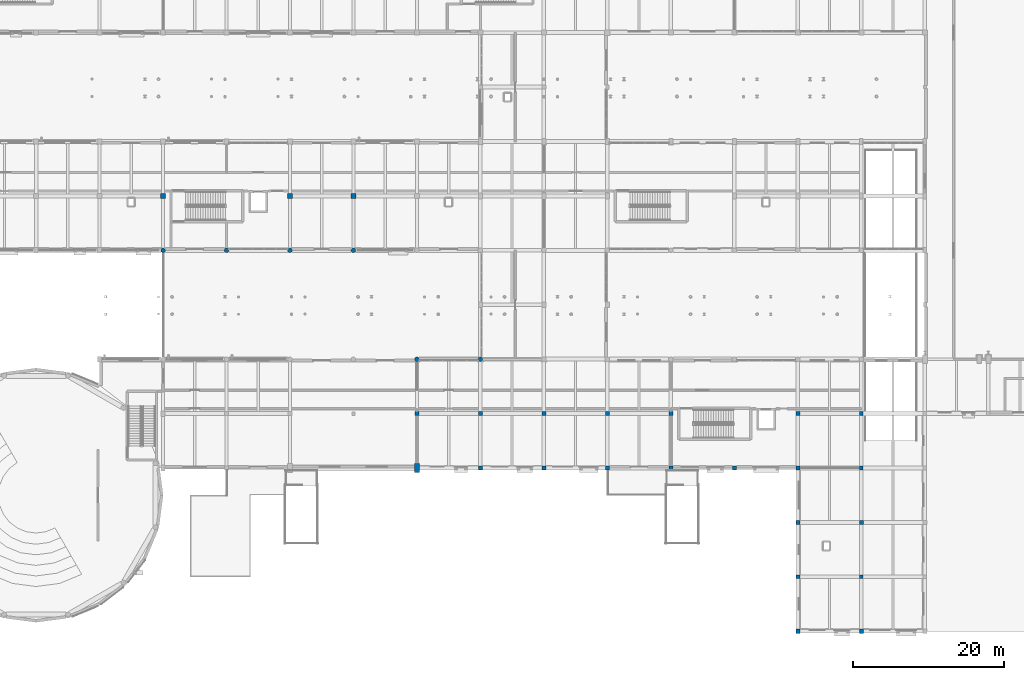
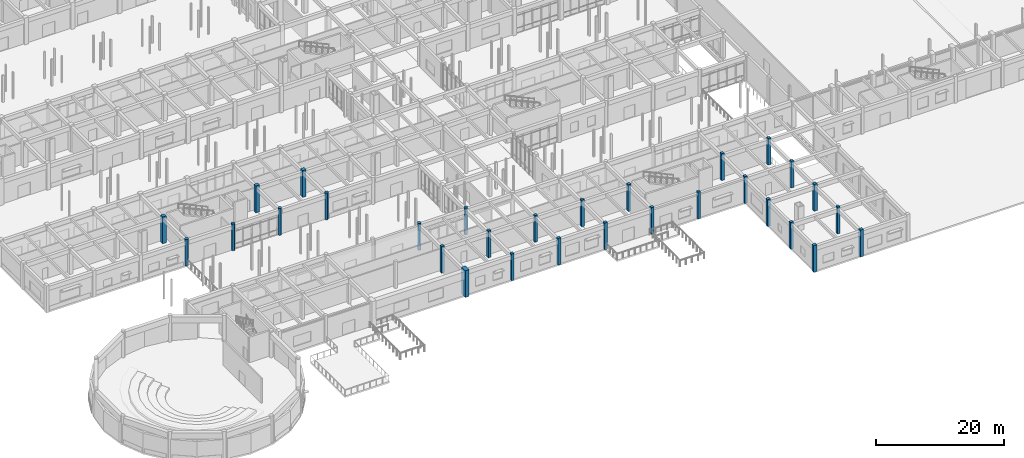
# One storey, part 5 of 121: 30 columns.
"""IFC4 building model written with IfcOpenShell, lengths in metres."""

from ifc_helpers import new_model, si_unit, direction, frame, origin, origin_2d, place, context, subcontext, project, spatial, rectangle, circle, extrude, material, material_profile, profile_set, type_object, element, save


model = new_model("IFC4")

# Units and contexts
model_context = context("Model", 3, precision=1e-05, world=origin(), true_north=direction((0.0, 1.0)))
body_context = subcontext(model_context, "Body", "Model", "MODEL_VIEW")
ifc_project = project(units=[si_unit("LENGTHUNIT", "METRE"), si_unit("AREAUNIT", "SQUARE_METRE"), si_unit("VOLUMEUNIT", "CUBIC_METRE"), si_unit("PLANEANGLEUNIT", "RADIAN"), si_unit("MASSUNIT", "GRAM", prefix="KILO")], contexts=[model_context])

# Site, building, storey
site_placement = place(None, origin())
site = spatial("IfcSite", under=ifc_project, at=site_placement, CompositionType="ELEMENT")
building_placement = place(site_placement, origin())
building = spatial("IfcBuilding", under=site, at=building_placement, Name="Malvenik Polytechnic", CompositionType="ELEMENT")
storey_placement = place(building_placement, origin())
storey = spatial("IfcBuildingStorey", under=building, at=storey_placement, Name="L00", CompositionType="ELEMENT", Elevation=0.0)

# Columns
ifc_material_1 = material(Name="Concrete C35/45", Category="concrete")
ifc_material_profile_1 = material_profile(ifc_material_1, rectangle(XDim=0.64990234375, YDim=0.64990234375, at=origin_2d()), Name="RC COL 650x650")
ifc_profile_set_1 = profile_set([ifc_material_profile_1], Name="Concrete C35/45")
column_type_1 = type_object("IfcColumnType", Name="STR-COL-C-05", PredefinedType="COLUMN", material=ifc_profile_set_1)
for number, where, z_axis, x_axis, name in (
    (1, (33.60009765625, 57.60009765625, 0.0), (0.0, 0.0, 1.0), (1.0, 0.0, 0.0), "Column C-05 L00 (33.6,57.6)"),
    (2, (50.39990234375, 57.60009765625, 0.0), (0.0, 0.0, 1.0), (1.0, 0.0, 0.0), "Column C-05 L00 (50.4,57.6)"),
    (3, (58.800048828125, 57.60009765625, 0.0), (0.0, 0.0, 1.0), (1.0, 0.0, 0.0), "Column C-05 L00 (58.8,57.6)"),
):
    element("IfcColumn", number, at=place(storey_placement, frame(where, z_axis=z_axis, x_axis=x_axis)), inside=storey, type_object=column_type_1, Name=name, PredefinedType="COLUMN", context=body_context, shape_type="SweptSolid", body=[
        extrude(rectangle(XDim=0.64990234375, YDim=0.64990234375, at=origin_2d()), origin(), (0.0, 0.0, 1.0), 5.10009765625),
    ])
ifc_material_profile_2 = material_profile(ifc_material_1, rectangle(XDim=0.550048828125, YDim=0.550048828125, at=origin_2d()), Name="RC COL 550x550")
ifc_profile_set_2 = profile_set([ifc_material_profile_2], Name="Concrete C35/45")
column_type_2 = type_object("IfcColumnType", Name="STR-COL-C-07", PredefinedType="COLUMN", material=ifc_profile_set_2)
for number, where, z_axis, x_axis, name in (
    (4, (117.60009765625, 0.0, 0.0), (0.0, 0.0, 1.0), (1.0, 0.0, 0.0), "Column C-07 L00 (117.6,0.0)"),
    (5, (117.60009765625, 14.39990234375, 0.0), (0.0, 0.0, 1.0), (1.0, 0.0, 0.0), "Column C-07 L00 (117.6,14.4)"),
    (6, (126.0, 0.0, 0.0), (0.0, 0.0, 1.0), (1.0, 0.0, 0.0), "Column C-07 L00 (126.0,0.0)"),
    (7, (126.0, 14.39990234375, 0.0), (0.0, 0.0, 1.0), (1.0, 0.0, 0.0), "Column C-07 L00 (126.0,14.4)"),
):
    element("IfcColumn", number, at=place(storey_placement, frame(where, z_axis=z_axis, x_axis=x_axis)), inside=storey, type_object=column_type_2, Name=name, PredefinedType="COLUMN", context=body_context, shape_type="SweptSolid", body=[
        extrude(rectangle(XDim=0.550048828125, YDim=0.550048828125, at=origin_2d()), origin(), (0.0, 0.0, 1.0), 5.10009765625),
    ])
ifc_material_profile_3 = material_profile(ifc_material_1, rectangle(XDim=0.5, YDim=0.5, at=origin_2d()), Name="RC COL 500x500")
ifc_profile_set_3 = profile_set([ifc_material_profile_3], Name="Concrete C35/45")
column_type_3 = type_object("IfcColumnType", Name="STR-COL-C-08", PredefinedType="COLUMN", material=ifc_profile_set_3)
for number, where, z_axis, x_axis, name in (
    (8, (67.199951171875, 28.800048828125, 0.0), (0.0, 0.0, 1.0), (1.0, 0.0, 0.0), "Column C-08 L00 (67.2,28.8)"),
    (9, (75.60009765625, 21.60009765625, 0.0), (0.0, 0.0, 1.0), (1.0, 0.0, 0.0), "Column C-08 L00 (75.6,21.6)"),
    (10, (75.60009765625, 28.800048828125, 0.0), (0.0, 0.0, 1.0), (1.0, 0.0, 0.0), "Column C-08 L00 (75.6,28.8)"),
    (11, (84.0, 21.60009765625, 0.0), (0.0, 0.0, 1.0), (1.0, 0.0, 0.0), "Column C-08 L00 (84.0,21.6)"),
    (12, (84.0, 28.800048828125, 0.0), (0.0, 0.0, 1.0), (1.0, 0.0, 0.0), "Column C-08 L00 (84.0,28.8)"),
    (13, (92.39990234375, 21.60009765625, 0.0), (0.0, 0.0, 1.0), (1.0, 0.0, 0.0), "Column C-08 L00 (92.4,21.6)"),
    (14, (92.39990234375, 28.800048828125, 0.0), (0.0, 0.0, 1.0), (1.0, 0.0, 0.0), "Column C-08 L00 (92.4,28.8)"),
    (15, (100.800048828125, 21.60009765625, 0.0), (0.0, 0.0, 1.0), (1.0, 0.0, 0.0), "Column C-08 L00 (100.8,21.6)"),
    (16, (100.800048828125, 28.800048828125, 0.0), (0.0, 0.0, 1.0), (1.0, 0.0, 0.0), "Column C-08 L00 (100.8,28.8)"),
    (17, (109.199951171875, 21.60009765625, 0.0), (0.0, 0.0, 1.0), (1.0, 0.0, 0.0), "Column C-08 L00 (109.2,21.6)"),
    (18, (117.60009765625, 7.199951171875, 0.0), (0.0, 0.0, 1.0), (1.0, 0.0, 0.0), "Column C-08 L00 (117.6,7.2)"),
    (19, (117.60009765625, 21.60009765625, 0.0), (0.0, 0.0, 1.0), (1.0, 0.0, 0.0), "Column C-08 L00 (117.6,21.6)"),
    (20, (117.60009765625, 28.800048828125, 0.0), (0.0, 0.0, 1.0), (1.0, 0.0, 0.0), "Column C-08 L00 (117.6,28.8)"),
    (21, (126.0, 7.199951171875, 0.0), (0.0, 0.0, 1.0), (1.0, 0.0, 0.0), "Column C-08 L00 (126.0,7.2)"),
    (22, (126.0, 21.60009765625, 0.0), (0.0, 0.0, 1.0), (1.0, 0.0, 0.0), "Column C-08 L00 (126.0,21.6)"),
    (23, (126.0, 28.800048828125, 0.0), (0.0, 0.0, 1.0), (1.0, 0.0, 0.0), "Column C-08 L00 (126.0,28.8)"),
):
    element("IfcColumn", number, at=place(storey_placement, frame(where, z_axis=z_axis, x_axis=x_axis)), inside=storey, type_object=column_type_3, Name=name, PredefinedType="COLUMN", context=body_context, shape_type="SweptSolid", body=[
        extrude(rectangle(XDim=0.5, YDim=0.5, at=origin_2d()), origin(), (0.0, 0.0, 1.0), 5.10009765625),
    ])
ifc_material_2 = material(Name="Concrete C40/50", Category="concrete")
ifc_material_profile_4 = material_profile(ifc_material_2, rectangle(XDim=0.699951171875, YDim=1.199951171875, at=origin_2d()), Name="RC COL 1200x700")
ifc_profile_set_4 = profile_set([ifc_material_profile_4], Name="Concrete C40/50")
column_type_4 = type_object("IfcColumnType", Name="STR-COL-C-13", PredefinedType="COLUMN", material=ifc_profile_set_4)
column_placement = place(storey_placement, frame((67.199951171875, 21.60009765625, 0.0), z_axis=(0.0, 0.0, 1.0), x_axis=(1.0, 0.0, 0.0)))
element("IfcColumn", 24, at=column_placement, inside=storey, type_object=column_type_4, Name="Column C-13 L00 (67.2,21.6)", PredefinedType="COLUMN", context=body_context, shape_type="SweptSolid", body=[
    extrude(rectangle(XDim=0.699951171875, YDim=1.199951171875, at=origin_2d()), origin(), (0.0, 0.0, 1.0), 5.10009765625),
])
ifc_material_profile_5 = material_profile(ifc_material_1, circle(Radius=0.300048828125, at=origin_2d()), Name="RC COL D600")
ifc_profile_set_5 = profile_set([ifc_material_profile_5], Name="Concrete C35/45")
column_type_5 = type_object("IfcColumnType", Name="STR-COL-C-18", PredefinedType="COLUMN", material=ifc_profile_set_5)
for number, where, z_axis, x_axis, name in (
    (25, (33.60009765625, 50.39990234375, 0.0), (0.0, 0.0, 1.0), (1.0, 0.0, 0.0), "Column C-18 L00 (33.6,50.4)"),
    (26, (42.0, 50.39990234375, 0.0), (0.0, 0.0, 1.0), (1.0, 0.0, 0.0), "Column C-18 L00 (42.0,50.4)"),
    (27, (50.39990234375, 50.39990234375, 0.0), (0.0, 0.0, 1.0), (1.0, 0.0, 0.0), "Column C-18 L00 (50.4,50.4)"),
    (28, (58.800048828125, 50.39990234375, 0.0), (0.0, 0.0, 1.0), (1.0, 0.0, 0.0), "Column C-18 L00 (58.8,50.4)"),
    (29, (67.199951171875, 36.0, 0.0), (0.0, 0.0, 1.0), (1.0, 0.0, 0.0), "Column C-18 L00 (67.2,36.0)"),
    (30, (75.60009765625, 36.0, 0.0), (0.0, 0.0, 1.0), (1.0, 0.0, 0.0), "Column C-18 L00 (75.6,36.0)"),
):
    element("IfcColumn", number, at=place(storey_placement, frame(where, z_axis=z_axis, x_axis=x_axis)), inside=storey, type_object=column_type_5, Name=name, PredefinedType="COLUMN", context=body_context, shape_type="SweptSolid", body=[
        extrude(circle(Radius=0.300048828125, at=origin_2d()), origin(), (0.0, 0.0, 1.0), 5.10009765625),
    ])

save(model, "model.ifc")
